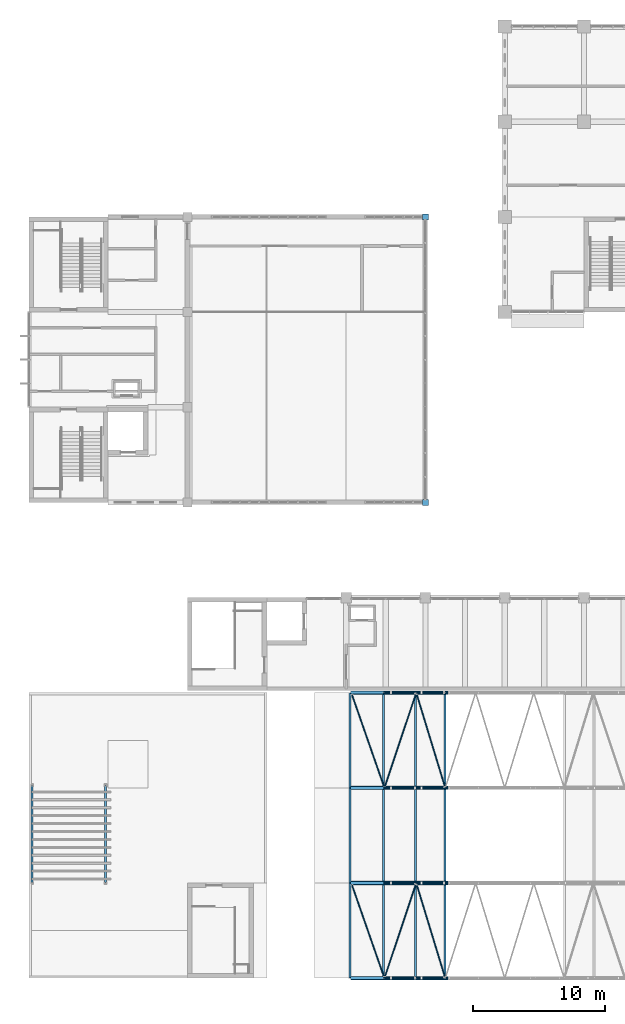
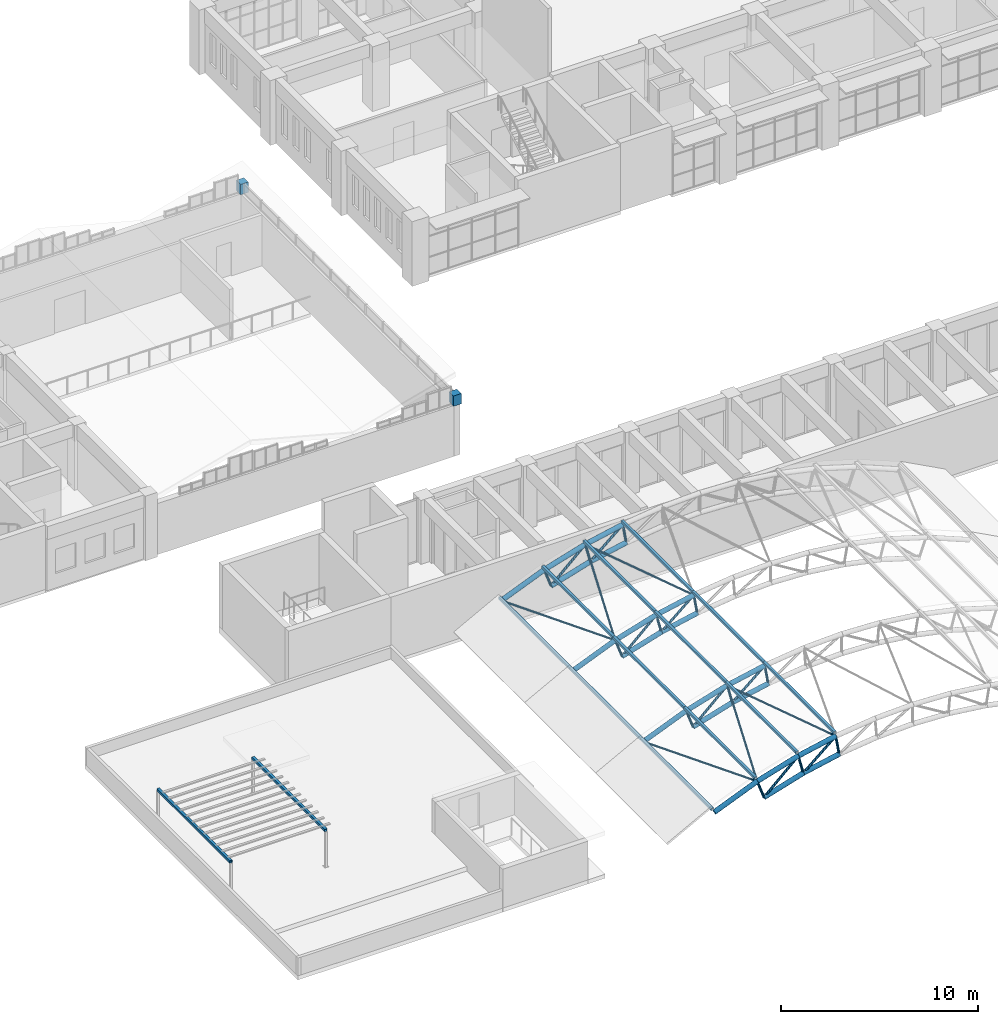
# One storey, part 6 of 92: 58 members, 2 beams, 2 columns.
"""IFC4 building model written with IfcOpenShell, lengths in metres."""

from ifc_helpers import new_model, si_unit, direction, frame, origin, origin_2d, place, context, subcontext, project, spatial, rectangle, hollow_rectangle, hollow_circle, extrude, material, material_profile, profile_set, type_object, element, save


model = new_model("IFC4")

# Units and contexts
model_context = context("Model", 3, precision=1e-05, world=origin(), true_north=direction((0.0, 1.0)))
body_context = subcontext(model_context, "Body", "Model", "MODEL_VIEW")
ifc_project = project(units=[si_unit("LENGTHUNIT", "METRE"), si_unit("AREAUNIT", "SQUARE_METRE"), si_unit("VOLUMEUNIT", "CUBIC_METRE"), si_unit("PLANEANGLEUNIT", "RADIAN"), si_unit("MASSUNIT", "GRAM", prefix="KILO")], contexts=[model_context])

# Site, building, storey
site_placement = place(None, origin())
site = spatial("IfcSite", under=ifc_project, at=site_placement, CompositionType="ELEMENT")
building_placement = place(site_placement, origin())
building = spatial("IfcBuilding", under=site, at=building_placement, Name="Laocheng Heights Fire and Rescue Headquarters", CompositionType="ELEMENT")
storey_placement = place(building_placement, frame((0.0, 0.0, 12.60009765625)))
storey = spatial("IfcBuildingStorey", under=building, at=storey_placement, Name="L03", CompositionType="ELEMENT", Elevation=12.60009765625)

# Columns
ifc_material_1 = material(Name="Concrete C50", Category="concrete")
ifc_material_profile_1 = material_profile(ifc_material_1, rectangle(XDim=0.449951171875, YDim=0.449951171875, at=origin_2d()), Name="RC COLUMN 450x450 C50 FOLD EDGE PIER")
ifc_profile_set_1 = profile_set([ifc_material_profile_1], Name="Concrete C50")
column_type = type_object("IfcColumnType", Name="RC COLUMN 450x450 C50 FOLD EDGE PIER", PredefinedType="COLUMN", material=ifc_profile_set_1)
for number, where, z_axis, x_axis, name in (
    (1, (30.0, 36.0, 3.14990234375), (0.0, 0.0, 1.0), (1.0, 0.0, 0.0), "Fold edge pier"),
    (2, (30.0, 57.60009765625, 3.14990234375), (0.0, 0.0, 1.0), (1.0, 0.0, 0.0), "Fold edge pier"),
):
    element("IfcColumn", number, at=place(storey_placement, frame(where, z_axis=z_axis, x_axis=x_axis)), inside=storey, type_object=column_type, Name=name, PredefinedType="COLUMN", context=body_context, shape_type="SweptSolid", body=[
        extrude(rectangle(XDim=0.449951171875, YDim=0.449951171875, at=origin_2d()), origin(), (0.0, 0.0, 1.0), 0.63623046875),
    ])

# Members
ifc_material_2 = material(Name="Steel Q355B", Category="steel")
ifc_material_profile_2 = material_profile(ifc_material_2, hollow_circle(Radius=0.05712890625, WallThickness=0.0048828125, at=origin_2d()), Name="CHS 114.3x5")
ifc_profile_set_2 = profile_set([ifc_material_profile_2], Name="Steel Q355B")
member_type_1 = type_object("IfcMemberType", Name="BAY ROOF BRACE CHS 114.3x5", PredefinedType="BRACE", material=ifc_profile_set_2)
member_1_placement = place(storey_placement, frame((26.89990234375, 0.0, 2.638916015625), z_axis=(-0.326216320681, 0.935749976967, -0.133995868324), x_axis=(-0.944265466352, -0.329184946579, 0.0)))
element("IfcMember", 3, at=member_1_placement, inside=storey, type_object=member_type_1, Name="Roof brace A-B panel 04", PredefinedType="BRACE", context=body_context, shape_type="SweptSolid", body=[
    extrude(hollow_circle(Radius=0.05712890625, WallThickness=0.0048828125, at=origin_2d()), origin(), (0.0, 0.0, 1.0), 7.6943359375),
])
member_2_placement = place(storey_placement, frame((26.89990234375, 0.0, 2.638916015625), z_axis=(0.31549411219, 0.944113329537, 0.095464580675), x_axis=(-0.948445041758, 0.316941639366, 0.0)))
element("IfcMember", 4, at=member_2_placement, inside=storey, type_object=member_type_1, Name="Roof brace A-B panel 05", PredefinedType="BRACE", context=body_context, shape_type="SweptSolid", body=[
    extrude(hollow_circle(Radius=0.05712890625, WallThickness=0.0048828125, at=origin_2d()), origin(), (0.0, 0.0, 1.0), 7.626220703125),
])
member_3_placement = place(storey_placement, frame((31.501953125, 0.0, 3.826904296875), z_axis=(-0.291196627091, 0.954717034969, -0.060991044518), x_axis=(-0.956497734073, -0.291739755111, 0.0)))
element("IfcMember", 5, at=member_3_placement, inside=storey, type_object=member_type_1, Name="Roof brace A-B panel 06", PredefinedType="BRACE", context=body_context, shape_type="SweptSolid", body=[
    extrude(hollow_circle(Radius=0.05712890625, WallThickness=0.0048828125, at=origin_2d()), origin(), (0.0, 0.0, 1.0), 7.54150390625),
])
member_4_placement = place(storey_placement, frame((26.89990234375, 14.39990234375, 2.638916015625), z_axis=(-0.32620663514, 0.935753923116, -0.133991889913), x_axis=(-0.944268935836, -0.329174994213, 0.0)))
element("IfcMember", 6, at=member_4_placement, inside=storey, type_object=member_type_1, Name="Roof brace C-D panel 04", PredefinedType="BRACE", context=body_context, shape_type="SweptSolid", body=[
    extrude(hollow_circle(Radius=0.05712890625, WallThickness=0.0048828125, at=origin_2d()), origin(), (0.0, 0.0, 1.0), 7.694580078125),
])
member_5_placement = place(storey_placement, frame((26.89990234375, 14.39990234375, 2.638916015625), z_axis=(0.315484576817, 0.944116807659, 0.09546169539), x_axis=(-0.948448272196, 0.316931972145, 0.0)))
element("IfcMember", 7, at=member_5_placement, inside=storey, type_object=member_type_1, Name="Roof brace C-D panel 05", PredefinedType="BRACE", context=body_context, shape_type="SweptSolid", body=[
    extrude(hollow_circle(Radius=0.05712890625, WallThickness=0.0048828125, at=origin_2d()), origin(), (0.0, 0.0, 1.0), 7.62646484375),
])
member_6_placement = place(storey_placement, frame((31.501953125, 14.39990234375, 3.826904296875), z_axis=(-0.29118762728, 0.954719900359, -0.06098915951), x_axis=(-0.956500494432, -0.291730704849, 0.0)))
element("IfcMember", 8, at=member_6_placement, inside=storey, type_object=member_type_1, Name="Roof brace C-D panel 06", PredefinedType="BRACE", context=body_context, shape_type="SweptSolid", body=[
    extrude(hollow_circle(Radius=0.05712890625, WallThickness=0.0048828125, at=origin_2d()), origin(), (0.0, 0.0, 1.0), 7.541748046875),
])
ifc_material_3 = material(Name="Steel Q355B", Category="steel")
ifc_material_profile_3 = material_profile(ifc_material_3, hollow_circle(Radius=0.136474609375, WallThickness=0.011962890625, at=origin_2d()), Name="CHS 273x12")
ifc_profile_set_3 = profile_set([ifc_material_profile_3], Name="Steel Q355B")
member_type_2 = type_object("IfcMemberType", Name="BAY ROOF CHORD CHS 273x12", PredefinedType="CHORD", material=ifc_profile_set_3)
member_7_placement = place(storey_placement, frame((24.389892578125, 0.0, 1.60791015625), z_axis=(0.925005702024, 0.0, 0.379953222415), x_axis=(0.0, 1.0, 0.0)))
element("IfcMember", 9, at=member_7_placement, inside=storey, type_object=member_type_2, Name="Truss TR1 upper chord 04", PredefinedType="CHORD", context=body_context, shape_type="SweptSolid", body=[
    extrude(hollow_circle(Radius=0.136474609375, WallThickness=0.011962890625, at=origin_2d()), origin(), (0.0, 0.0, 1.0), 2.713623046875),
])
member_8_placement = place(storey_placement, frame((26.89990234375, 0.0, 2.638916015625), z_axis=(0.957141950911, 0.0, 0.289619208282), x_axis=(0.0, 1.0, 0.0)))
element("IfcMember", 10, at=member_8_placement, inside=storey, type_object=member_type_2, Name="Truss TR1 upper chord 05", PredefinedType="CHORD", context=body_context, shape_type="SweptSolid", body=[
    extrude(hollow_circle(Radius=0.136474609375, WallThickness=0.011962890625, at=origin_2d()), origin(), (0.0, 0.0, 1.0), 2.513671875),
])
member_9_placement = place(storey_placement, frame((29.305908203125, 0.0, 3.366943359375), z_axis=(0.978761692997, 0.0, 0.205001337366), x_axis=(0.0, 1.0, 0.0)))
element("IfcMember", 11, at=member_9_placement, inside=storey, type_object=member_type_2, Name="Truss TR1 upper chord 06", PredefinedType="CHORD", context=body_context, shape_type="SweptSolid", body=[
    extrude(hollow_circle(Radius=0.136474609375, WallThickness=0.011962890625, at=origin_2d()), origin(), (0.0, 0.0, 1.0), 2.24365234375),
])
member_10_placement = place(storey_placement, frame((27.300048828125, 0.0, 1.5068359375), z_axis=(0.957132854261, 0.0, 0.289649269451), x_axis=(0.0, 1.0, 0.0)))
element("IfcMember", 12, at=member_10_placement, inside=storey, type_object=member_type_2, Name="Truss TR1 lower chord 05", PredefinedType="CHORD", context=body_context, shape_type="SweptSolid", body=[
    extrude(hollow_circle(Radius=0.136474609375, WallThickness=0.011962890625, at=origin_2d()), origin(), (0.0, 0.0, 1.0), 2.403076171875),
])
member_11_placement = place(storey_placement, frame((29.60009765625, 0.0, 2.202880859375), z_axis=(0.978749745758, 0.0, 0.205058370173), x_axis=(0.0, 1.0, 0.0)))
element("IfcMember", 13, at=member_11_placement, inside=storey, type_object=member_type_2, Name="Truss TR1 lower chord 06", PredefinedType="CHORD", context=body_context, shape_type="SweptSolid", body=[
    extrude(hollow_circle(Radius=0.136474609375, WallThickness=0.011962890625, at=origin_2d()), origin(), (0.0, 0.0, 1.0), 2.1455078125),
])
member_12_placement = place(storey_placement, frame((24.389892578125, 7.199951171875, 1.60791015625), z_axis=(0.925005702024, 0.0, 0.379953222415), x_axis=(0.0, 1.0, 0.0)))
element("IfcMember", 14, at=member_12_placement, inside=storey, type_object=member_type_2, Name="Truss TR2 upper chord 04", PredefinedType="CHORD", context=body_context, shape_type="SweptSolid", body=[
    extrude(hollow_circle(Radius=0.136474609375, WallThickness=0.011962890625, at=origin_2d()), origin(), (0.0, 0.0, 1.0), 2.713623046875),
])
member_13_placement = place(storey_placement, frame((26.89990234375, 7.199951171875, 2.638916015625), z_axis=(0.957141950911, 0.0, 0.289619208282), x_axis=(0.0, 1.0, 0.0)))
element("IfcMember", 15, at=member_13_placement, inside=storey, type_object=member_type_2, Name="Truss TR2 upper chord 05", PredefinedType="CHORD", context=body_context, shape_type="SweptSolid", body=[
    extrude(hollow_circle(Radius=0.136474609375, WallThickness=0.011962890625, at=origin_2d()), origin(), (0.0, 0.0, 1.0), 2.513671875),
])
member_14_placement = place(storey_placement, frame((29.305908203125, 7.199951171875, 3.366943359375), z_axis=(0.978761692997, 0.0, 0.205001337366), x_axis=(0.0, 1.0, 0.0)))
element("IfcMember", 16, at=member_14_placement, inside=storey, type_object=member_type_2, Name="Truss TR2 upper chord 06", PredefinedType="CHORD", context=body_context, shape_type="SweptSolid", body=[
    extrude(hollow_circle(Radius=0.136474609375, WallThickness=0.011962890625, at=origin_2d()), origin(), (0.0, 0.0, 1.0), 2.24365234375),
])
member_15_placement = place(storey_placement, frame((27.300048828125, 7.199951171875, 1.5068359375), z_axis=(0.957132854261, 0.0, 0.289649269451), x_axis=(0.0, 1.0, 0.0)))
element("IfcMember", 17, at=member_15_placement, inside=storey, type_object=member_type_2, Name="Truss TR2 lower chord 05", PredefinedType="CHORD", context=body_context, shape_type="SweptSolid", body=[
    extrude(hollow_circle(Radius=0.136474609375, WallThickness=0.011962890625, at=origin_2d()), origin(), (0.0, 0.0, 1.0), 2.403076171875),
])
member_16_placement = place(storey_placement, frame((29.60009765625, 7.199951171875, 2.202880859375), z_axis=(0.978749745758, 0.0, 0.205058370173), x_axis=(0.0, 1.0, 0.0)))
element("IfcMember", 18, at=member_16_placement, inside=storey, type_object=member_type_2, Name="Truss TR2 lower chord 06", PredefinedType="CHORD", context=body_context, shape_type="SweptSolid", body=[
    extrude(hollow_circle(Radius=0.136474609375, WallThickness=0.011962890625, at=origin_2d()), origin(), (0.0, 0.0, 1.0), 2.1455078125),
])
member_17_placement = place(storey_placement, frame((24.389892578125, 14.39990234375, 1.60791015625), z_axis=(0.925005702024, 0.0, 0.379953222415), x_axis=(0.0, 1.0, 0.0)))
element("IfcMember", 19, at=member_17_placement, inside=storey, type_object=member_type_2, Name="Truss TR3 upper chord 04", PredefinedType="CHORD", context=body_context, shape_type="SweptSolid", body=[
    extrude(hollow_circle(Radius=0.136474609375, WallThickness=0.011962890625, at=origin_2d()), origin(), (0.0, 0.0, 1.0), 2.713623046875),
])
member_18_placement = place(storey_placement, frame((26.89990234375, 14.39990234375, 2.638916015625), z_axis=(0.957141950911, 0.0, 0.289619208282), x_axis=(0.0, 1.0, 0.0)))
element("IfcMember", 20, at=member_18_placement, inside=storey, type_object=member_type_2, Name="Truss TR3 upper chord 05", PredefinedType="CHORD", context=body_context, shape_type="SweptSolid", body=[
    extrude(hollow_circle(Radius=0.136474609375, WallThickness=0.011962890625, at=origin_2d()), origin(), (0.0, 0.0, 1.0), 2.513671875),
])
member_19_placement = place(storey_placement, frame((29.305908203125, 14.39990234375, 3.366943359375), z_axis=(0.978761692997, 0.0, 0.205001337366), x_axis=(0.0, 1.0, 0.0)))
element("IfcMember", 21, at=member_19_placement, inside=storey, type_object=member_type_2, Name="Truss TR3 upper chord 06", PredefinedType="CHORD", context=body_context, shape_type="SweptSolid", body=[
    extrude(hollow_circle(Radius=0.136474609375, WallThickness=0.011962890625, at=origin_2d()), origin(), (0.0, 0.0, 1.0), 2.24365234375),
])
member_20_placement = place(storey_placement, frame((27.300048828125, 14.39990234375, 1.5068359375), z_axis=(0.957132854261, 0.0, 0.289649269451), x_axis=(0.0, 1.0, 0.0)))
element("IfcMember", 22, at=member_20_placement, inside=storey, type_object=member_type_2, Name="Truss TR3 lower chord 05", PredefinedType="CHORD", context=body_context, shape_type="SweptSolid", body=[
    extrude(hollow_circle(Radius=0.136474609375, WallThickness=0.011962890625, at=origin_2d()), origin(), (0.0, 0.0, 1.0), 2.403076171875),
])
member_21_placement = place(storey_placement, frame((29.60009765625, 14.39990234375, 2.202880859375), z_axis=(0.978749745758, 0.0, 0.205058370173), x_axis=(0.0, 1.0, 0.0)))
element("IfcMember", 23, at=member_21_placement, inside=storey, type_object=member_type_2, Name="Truss TR3 lower chord 06", PredefinedType="CHORD", context=body_context, shape_type="SweptSolid", body=[
    extrude(hollow_circle(Radius=0.136474609375, WallThickness=0.011962890625, at=origin_2d()), origin(), (0.0, 0.0, 1.0), 2.1455078125),
])
member_22_placement = place(storey_placement, frame((24.389892578125, 21.60009765625, 1.60791015625), z_axis=(0.925005702024, 0.0, 0.379953222415), x_axis=(0.0, 1.0, 0.0)))
element("IfcMember", 24, at=member_22_placement, inside=storey, type_object=member_type_2, Name="Truss TR4 upper chord 04", PredefinedType="CHORD", context=body_context, shape_type="SweptSolid", body=[
    extrude(hollow_circle(Radius=0.136474609375, WallThickness=0.011962890625, at=origin_2d()), origin(), (0.0, 0.0, 1.0), 2.713623046875),
])
member_23_placement = place(storey_placement, frame((26.89990234375, 21.60009765625, 2.638916015625), z_axis=(0.957141950911, 0.0, 0.289619208282), x_axis=(0.0, 1.0, 0.0)))
element("IfcMember", 25, at=member_23_placement, inside=storey, type_object=member_type_2, Name="Truss TR4 upper chord 05", PredefinedType="CHORD", context=body_context, shape_type="SweptSolid", body=[
    extrude(hollow_circle(Radius=0.136474609375, WallThickness=0.011962890625, at=origin_2d()), origin(), (0.0, 0.0, 1.0), 2.513671875),
])
member_24_placement = place(storey_placement, frame((29.305908203125, 21.60009765625, 3.366943359375), z_axis=(0.978761692997, 0.0, 0.205001337366), x_axis=(0.0, 1.0, 0.0)))
element("IfcMember", 26, at=member_24_placement, inside=storey, type_object=member_type_2, Name="Truss TR4 upper chord 06", PredefinedType="CHORD", context=body_context, shape_type="SweptSolid", body=[
    extrude(hollow_circle(Radius=0.136474609375, WallThickness=0.011962890625, at=origin_2d()), origin(), (0.0, 0.0, 1.0), 2.24365234375),
])
member_25_placement = place(storey_placement, frame((27.300048828125, 21.60009765625, 1.5068359375), z_axis=(0.957132854261, 0.0, 0.289649269451), x_axis=(0.0, 1.0, 0.0)))
element("IfcMember", 27, at=member_25_placement, inside=storey, type_object=member_type_2, Name="Truss TR4 lower chord 05", PredefinedType="CHORD", context=body_context, shape_type="SweptSolid", body=[
    extrude(hollow_circle(Radius=0.136474609375, WallThickness=0.011962890625, at=origin_2d()), origin(), (0.0, 0.0, 1.0), 2.403076171875),
])
member_26_placement = place(storey_placement, frame((29.60009765625, 21.60009765625, 2.202880859375), z_axis=(0.978749745758, 0.0, 0.205058370173), x_axis=(0.0, 1.0, 0.0)))
element("IfcMember", 28, at=member_26_placement, inside=storey, type_object=member_type_2, Name="Truss TR4 lower chord 06", PredefinedType="CHORD", context=body_context, shape_type="SweptSolid", body=[
    extrude(hollow_circle(Radius=0.136474609375, WallThickness=0.011962890625, at=origin_2d()), origin(), (0.0, 0.0, 1.0), 2.1455078125),
])
ifc_material_4 = material(Name="Steel Q355B", Category="steel")
ifc_material_profile_4 = material_profile(ifc_material_4, hollow_circle(Radius=0.06982421875, WallThickness=0.006103515625, at=origin_2d()), Name="CHS 139.7x6")
ifc_profile_set_4 = profile_set([ifc_material_profile_4], Name="Steel Q355B")
member_type_3 = type_object("IfcMemberType", Name="BAY ROOF DIAG CHS 139.7x6", PredefinedType="BRACE", material=ifc_profile_set_4)
member_27_placement = place(storey_placement, frame((27.300048828125, 0.0, 1.5068359375), z_axis=(0.733244694838, 0.0, 0.679964864895), x_axis=(0.0, 1.0, 0.0)))
element("IfcMember", 29, at=member_27_placement, inside=storey, type_object=member_type_3, Name="Truss diagonal TR1-05", PredefinedType="BRACE", context=body_context, shape_type="SweptSolid", body=[
    extrude(hollow_circle(Radius=0.06982421875, WallThickness=0.006103515625, at=origin_2d()), origin(), (0.0, 0.0, 1.0), 2.735595703125),
])
member_28_placement = place(storey_placement, frame((29.60009765625, 0.0, 2.202880859375), z_axis=(0.760468082099, 0.0, 0.649375312211), x_axis=(0.0, 1.0, 0.0)))
element("IfcMember", 30, at=member_28_placement, inside=storey, type_object=member_type_3, Name="Truss diagonal TR1-06", PredefinedType="BRACE", context=body_context, shape_type="SweptSolid", body=[
    extrude(hollow_circle(Radius=0.06982421875, WallThickness=0.006103515625, at=origin_2d()), origin(), (0.0, 0.0, 1.0), 2.5009765625),
])
member_29_placement = place(storey_placement, frame((27.300048828125, 7.199951171875, 1.5068359375), z_axis=(0.733244694838, 0.0, 0.679964864895), x_axis=(0.0, 1.0, 0.0)))
element("IfcMember", 31, at=member_29_placement, inside=storey, type_object=member_type_3, Name="Truss diagonal TR2-05", PredefinedType="BRACE", context=body_context, shape_type="SweptSolid", body=[
    extrude(hollow_circle(Radius=0.06982421875, WallThickness=0.006103515625, at=origin_2d()), origin(), (0.0, 0.0, 1.0), 2.735595703125),
])
member_30_placement = place(storey_placement, frame((29.60009765625, 7.199951171875, 2.202880859375), z_axis=(0.760468082099, 0.0, 0.649375312211), x_axis=(0.0, 1.0, 0.0)))
element("IfcMember", 32, at=member_30_placement, inside=storey, type_object=member_type_3, Name="Truss diagonal TR2-06", PredefinedType="BRACE", context=body_context, shape_type="SweptSolid", body=[
    extrude(hollow_circle(Radius=0.06982421875, WallThickness=0.006103515625, at=origin_2d()), origin(), (0.0, 0.0, 1.0), 2.5009765625),
])
member_31_placement = place(storey_placement, frame((27.300048828125, 14.39990234375, 1.5068359375), z_axis=(0.733244694838, 0.0, 0.679964864895), x_axis=(0.0, 1.0, 0.0)))
element("IfcMember", 33, at=member_31_placement, inside=storey, type_object=member_type_3, Name="Truss diagonal TR3-05", PredefinedType="BRACE", context=body_context, shape_type="SweptSolid", body=[
    extrude(hollow_circle(Radius=0.06982421875, WallThickness=0.006103515625, at=origin_2d()), origin(), (0.0, 0.0, 1.0), 2.735595703125),
])
member_32_placement = place(storey_placement, frame((29.60009765625, 14.39990234375, 2.202880859375), z_axis=(0.760468082099, 0.0, 0.649375312211), x_axis=(0.0, 1.0, 0.0)))
element("IfcMember", 34, at=member_32_placement, inside=storey, type_object=member_type_3, Name="Truss diagonal TR3-06", PredefinedType="BRACE", context=body_context, shape_type="SweptSolid", body=[
    extrude(hollow_circle(Radius=0.06982421875, WallThickness=0.006103515625, at=origin_2d()), origin(), (0.0, 0.0, 1.0), 2.5009765625),
])
member_33_placement = place(storey_placement, frame((27.300048828125, 21.60009765625, 1.5068359375), z_axis=(0.733244694838, 0.0, 0.679964864895), x_axis=(0.0, 1.0, 0.0)))
element("IfcMember", 35, at=member_33_placement, inside=storey, type_object=member_type_3, Name="Truss diagonal TR4-05", PredefinedType="BRACE", context=body_context, shape_type="SweptSolid", body=[
    extrude(hollow_circle(Radius=0.06982421875, WallThickness=0.006103515625, at=origin_2d()), origin(), (0.0, 0.0, 1.0), 2.735595703125),
])
member_34_placement = place(storey_placement, frame((29.60009765625, 21.60009765625, 2.202880859375), z_axis=(0.760468082099, 0.0, 0.649375312211), x_axis=(0.0, 1.0, 0.0)))
element("IfcMember", 36, at=member_34_placement, inside=storey, type_object=member_type_3, Name="Truss diagonal TR4-06", PredefinedType="BRACE", context=body_context, shape_type="SweptSolid", body=[
    extrude(hollow_circle(Radius=0.06982421875, WallThickness=0.006103515625, at=origin_2d()), origin(), (0.0, 0.0, 1.0), 2.5009765625),
])
ifc_material_5 = material(Name="Steel Q355B", Category="steel")
ifc_material_profile_5 = material_profile(ifc_material_5, hollow_circle(Radius=0.06982421875, WallThickness=0.006103515625, at=origin_2d()), Name="CHS 139.7x6")
ifc_profile_set_5 = profile_set([ifc_material_profile_5], Name="Steel Q355B")
member_type_4 = type_object("IfcMemberType", Name="BAY ROOF POST CHS 139.7x6", PredefinedType="POST", material=ifc_profile_set_5)
for number, where, z_axis, x_axis, name in (
    (37, (27.300048828125, 0.0, 1.5068359375), (-0.333256144539, 0.0, 0.942836328387), (0.0, -1.0, 0.0), "Truss TR1 radial post 04"),
    (38, (29.60009765625, 0.0, 2.202880859375), (-0.24502273224, 0.0, 0.969517333876), (0.0, -1.0, 0.0), "Truss TR1 radial post 05"),
):
    element("IfcMember", number, at=place(storey_placement, frame(where, z_axis=z_axis, x_axis=x_axis)), inside=storey, type_object=member_type_4, Name=name, PredefinedType="POST", context=body_context, shape_type="SweptSolid", body=[
        extrude(hollow_circle(Radius=0.06982421875, WallThickness=0.006103515625, at=origin_2d()), origin(), (0.0, 0.0, 1.0), 1.20068359375),
    ])
member_35_placement = place(storey_placement, frame((31.699951171875, 0.0, 2.642822265625), z_axis=(-0.164926605807, 0.0, 0.986305842372), x_axis=(0.0, -1.0, 0.0)))
element("IfcMember", 39, at=member_35_placement, inside=storey, type_object=member_type_4, Name="Truss TR1 radial post 06", PredefinedType="POST", context=body_context, shape_type="SweptSolid", body=[
    extrude(hollow_circle(Radius=0.06982421875, WallThickness=0.006103515625, at=origin_2d()), origin(), (0.0, 0.0, 1.0), 1.200439453125),
])
for number, where, z_axis, x_axis, name in (
    (40, (27.300048828125, 7.199951171875, 1.5068359375), (-0.333256144539, 0.0, 0.942836328387), (0.0, -1.0, 0.0), "Truss TR2 radial post 04"),
    (41, (29.60009765625, 7.199951171875, 2.202880859375), (-0.24502273224, 0.0, 0.969517333876), (0.0, -1.0, 0.0), "Truss TR2 radial post 05"),
):
    element("IfcMember", number, at=place(storey_placement, frame(where, z_axis=z_axis, x_axis=x_axis)), inside=storey, type_object=member_type_4, Name=name, PredefinedType="POST", context=body_context, shape_type="SweptSolid", body=[
        extrude(hollow_circle(Radius=0.06982421875, WallThickness=0.006103515625, at=origin_2d()), origin(), (0.0, 0.0, 1.0), 1.20068359375),
    ])
member_36_placement = place(storey_placement, frame((31.699951171875, 7.199951171875, 2.642822265625), z_axis=(-0.164926605807, 0.0, 0.986305842372), x_axis=(0.0, -1.0, 0.0)))
element("IfcMember", 42, at=member_36_placement, inside=storey, type_object=member_type_4, Name="Truss TR2 radial post 06", PredefinedType="POST", context=body_context, shape_type="SweptSolid", body=[
    extrude(hollow_circle(Radius=0.06982421875, WallThickness=0.006103515625, at=origin_2d()), origin(), (0.0, 0.0, 1.0), 1.200439453125),
])
for number, where, z_axis, x_axis, name in (
    (43, (27.300048828125, 14.39990234375, 1.5068359375), (-0.333256144539, 0.0, 0.942836328387), (0.0, -1.0, 0.0), "Truss TR3 radial post 04"),
    (44, (29.60009765625, 14.39990234375, 2.202880859375), (-0.24502273224, 0.0, 0.969517333876), (0.0, -1.0, 0.0), "Truss TR3 radial post 05"),
):
    element("IfcMember", number, at=place(storey_placement, frame(where, z_axis=z_axis, x_axis=x_axis)), inside=storey, type_object=member_type_4, Name=name, PredefinedType="POST", context=body_context, shape_type="SweptSolid", body=[
        extrude(hollow_circle(Radius=0.06982421875, WallThickness=0.006103515625, at=origin_2d()), origin(), (0.0, 0.0, 1.0), 1.20068359375),
    ])
member_37_placement = place(storey_placement, frame((31.699951171875, 14.39990234375, 2.642822265625), z_axis=(-0.164926605807, 0.0, 0.986305842372), x_axis=(0.0, -1.0, 0.0)))
element("IfcMember", 45, at=member_37_placement, inside=storey, type_object=member_type_4, Name="Truss TR3 radial post 06", PredefinedType="POST", context=body_context, shape_type="SweptSolid", body=[
    extrude(hollow_circle(Radius=0.06982421875, WallThickness=0.006103515625, at=origin_2d()), origin(), (0.0, 0.0, 1.0), 1.200439453125),
])
for number, where, z_axis, x_axis, name in (
    (46, (27.300048828125, 21.60009765625, 1.5068359375), (-0.333256144539, 0.0, 0.942836328387), (0.0, -1.0, 0.0), "Truss TR4 radial post 04"),
    (47, (29.60009765625, 21.60009765625, 2.202880859375), (-0.24502273224, 0.0, 0.969517333876), (0.0, -1.0, 0.0), "Truss TR4 radial post 05"),
):
    element("IfcMember", number, at=place(storey_placement, frame(where, z_axis=z_axis, x_axis=x_axis)), inside=storey, type_object=member_type_4, Name=name, PredefinedType="POST", context=body_context, shape_type="SweptSolid", body=[
        extrude(hollow_circle(Radius=0.06982421875, WallThickness=0.006103515625, at=origin_2d()), origin(), (0.0, 0.0, 1.0), 1.20068359375),
    ])
member_38_placement = place(storey_placement, frame((31.699951171875, 21.60009765625, 2.642822265625), z_axis=(-0.164926605807, 0.0, 0.986305842372), x_axis=(0.0, -1.0, 0.0)))
element("IfcMember", 48, at=member_38_placement, inside=storey, type_object=member_type_4, Name="Truss TR4 radial post 06", PredefinedType="POST", context=body_context, shape_type="SweptSolid", body=[
    extrude(hollow_circle(Radius=0.06982421875, WallThickness=0.006103515625, at=origin_2d()), origin(), (0.0, 0.0, 1.0), 1.200439453125),
])
ifc_material_6 = material(Name="Steel Q355B", Category="steel")
ifc_material_profile_6 = material_profile(ifc_material_6, hollow_rectangle(XDim=0.14990234375, YDim=0.14990234375, WallThickness=0.008056640625, at=origin_2d()), Name="SHS 150x150x8")
ifc_profile_set_6 = profile_set([ifc_material_profile_6], Name="Steel Q355B")
member_type_5 = type_object("IfcMemberType", Name="BAY ROOF PURLIN SHS 150x150x8", PredefinedType="PURLIN", material=ifc_profile_set_6)
for number, where, z_axis, x_axis, name in (
    (49, (24.289306640625, 0.0, 1.822265625), (0.0, 1.0, 0.0), (-1.0, 0.0, 0.0), "Purlin 4.1"),
    (50, (26.822509765625, 0.0, 2.8583984375), (0.0, 1.0, 0.0), (-1.0, 0.0, 0.0), "Purlin 5.1"),
    (51, (29.25, 0.0, 3.588134765625), (0.0, 1.0, 0.0), (-1.0, 0.0, 0.0), "Purlin 6.1"),
    (52, (31.465087890625, 0.0, 4.047119140625), (0.0, 1.0, 0.0), (-1.0, 0.0, 0.0), "Purlin 7.1"),
    (53, (24.289306640625, 7.199951171875, 1.822265625), (0.0, 1.0, 0.0), (-1.0, 0.0, 0.0), "Purlin 4.2"),
    (54, (26.822509765625, 7.199951171875, 2.8583984375), (0.0, 1.0, 0.0), (-1.0, 0.0, 0.0), "Purlin 5.2"),
    (55, (29.25, 7.199951171875, 3.588134765625), (0.0, 1.0, 0.0), (-1.0, 0.0, 0.0), "Purlin 6.2"),
    (56, (31.465087890625, 7.199951171875, 4.047119140625), (0.0, 1.0, 0.0), (-1.0, 0.0, 0.0), "Purlin 7.2"),
):
    element("IfcMember", number, at=place(storey_placement, frame(where, z_axis=z_axis, x_axis=x_axis)), inside=storey, type_object=member_type_5, Name=name, PredefinedType="PURLIN", context=body_context, shape_type="SweptSolid", body=[
        extrude(hollow_rectangle(XDim=0.14990234375, YDim=0.14990234375, WallThickness=0.008056640625, at=origin_2d()), origin(), (0.0, 0.0, 1.0), 7.199951171875),
    ])
for number, where, z_axis, x_axis, name in (
    (57, (24.289306640625, 14.39990234375, 1.822265625), (0.0, 1.0, 0.0), (-1.0, 0.0, 0.0), "Purlin 4.3"),
    (58, (26.822509765625, 14.39990234375, 2.8583984375), (0.0, 1.0, 0.0), (-1.0, 0.0, 0.0), "Purlin 5.3"),
    (59, (29.25, 14.39990234375, 3.588134765625), (0.0, 1.0, 0.0), (-1.0, 0.0, 0.0), "Purlin 6.3"),
    (60, (31.465087890625, 14.39990234375, 4.047119140625), (0.0, 1.0, 0.0), (-1.0, 0.0, 0.0), "Purlin 7.3"),
):
    element("IfcMember", number, at=place(storey_placement, frame(where, z_axis=z_axis, x_axis=x_axis)), inside=storey, type_object=member_type_5, Name=name, PredefinedType="PURLIN", context=body_context, shape_type="SweptSolid", body=[
        extrude(hollow_rectangle(XDim=0.14990234375, YDim=0.14990234375, WallThickness=0.008056640625, at=origin_2d()), origin(), (0.0, 0.0, 1.0), 7.2001953125),
    ])

# Beams
ifc_material_7 = material(Name="Steel Q355B", Category="steel")
ifc_material_profile_7 = material_profile(ifc_material_7, hollow_rectangle(XDim=0.14990234375, YDim=0.14990234375, WallThickness=0.006103515625, at=origin_2d()), Name="RHS 150x150x6")
ifc_profile_set_7 = profile_set([ifc_material_profile_7], Name="Steel Q355B")
beam_type = type_object("IfcBeamType", Name="STEEL TRELLIS BEAM RHS 150x150x6", PredefinedType="BEAM", material=ifc_profile_set_7)
for number, where, z_axis, x_axis, name in (
    (61, (0.239990234375, 7.199951171875, 2.625), (0.0, 1.0, 0.0), (-1.0, 0.0, 0.0), "Pergola beam"),
    (62, (5.800048828125, 7.199951171875, 2.625), (0.0, 1.0, 0.0), (-1.0, 0.0, 0.0), "Pergola beam"),
):
    element("IfcBeam", number, at=place(storey_placement, frame(where, z_axis=z_axis, x_axis=x_axis)), inside=storey, type_object=beam_type, Name=name, PredefinedType="BEAM", context=body_context, shape_type="SweptSolid", body=[
        extrude(hollow_rectangle(XDim=0.14990234375, YDim=0.14990234375, WallThickness=0.006103515625, at=origin_2d()), origin(), (0.0, 0.0, 1.0), 7.400146484375),
    ])

save(model, "model.ifc")
